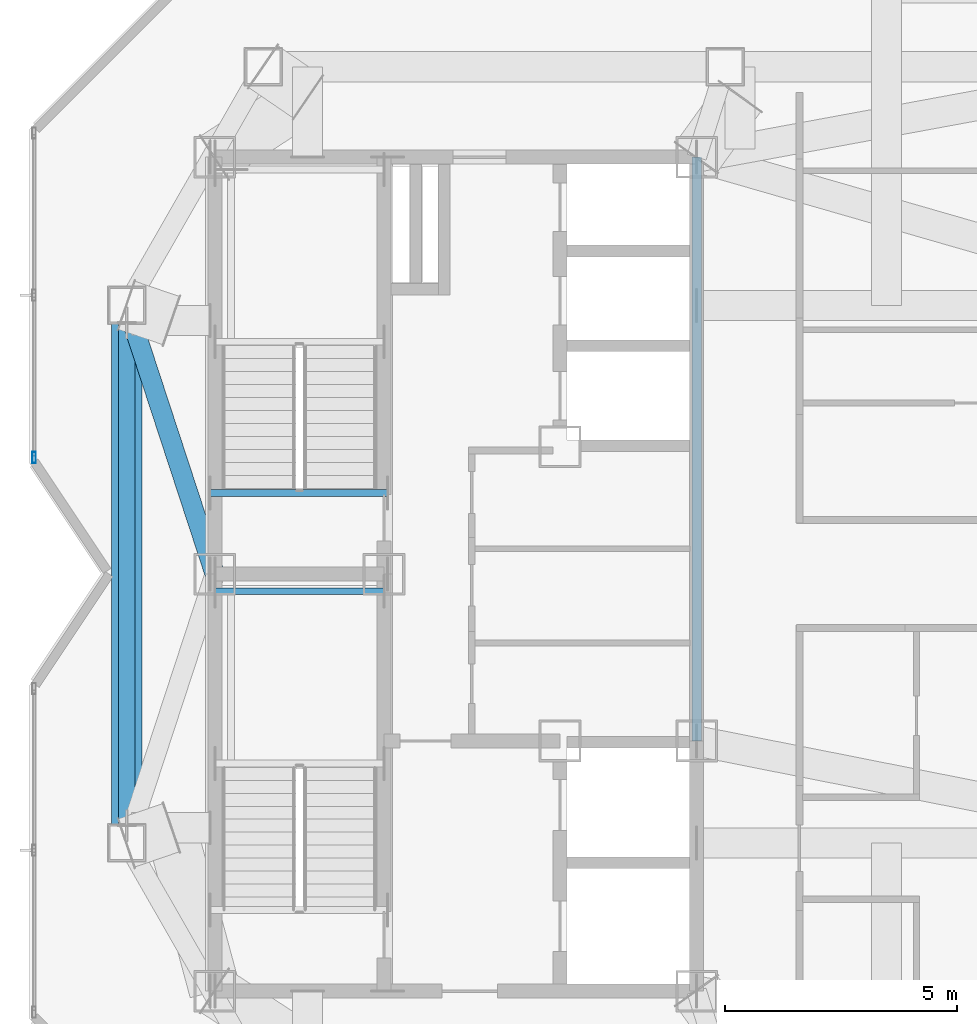
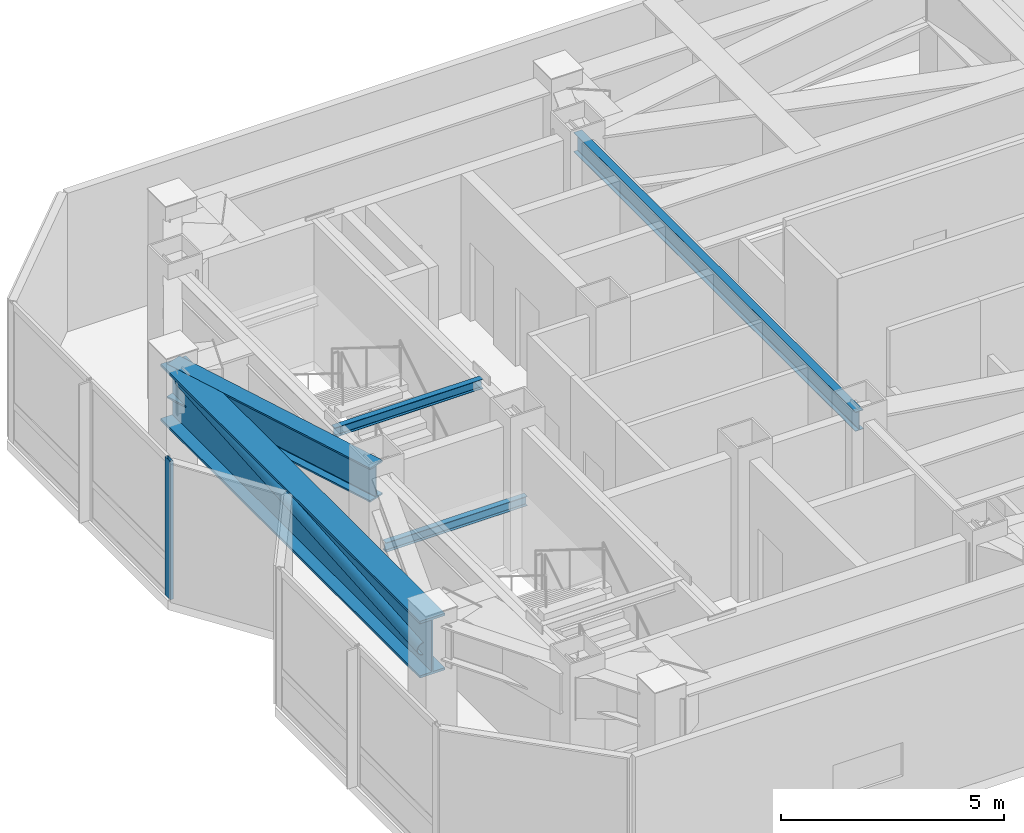
# One storey, part 3 of 15: 5 beams, 2 members, 1 element without a shape of its own.
"""IFC4 building model written with IfcOpenShell, lengths in metres."""

from ifc_helpers import new_model, si_unit, direction, frame, origin, origin_2d, place, context, subcontext, project, spatial, hollow_rectangle, hollow_circle, i_section, extrude, material, material_profile, profile_set, type_object, element, aggregate, save


model = new_model("IFC4")

# Units and contexts
model_context = context("Model", 3, precision=1e-05, world=origin(), true_north=direction((0.0, 1.0)))
body_context = subcontext(model_context, "Body", "Model", "MODEL_VIEW")
ifc_project = project(units=[si_unit("LENGTHUNIT", "METRE"), si_unit("AREAUNIT", "SQUARE_METRE"), si_unit("VOLUMEUNIT", "CUBIC_METRE"), si_unit("PLANEANGLEUNIT", "RADIAN"), si_unit("MASSUNIT", "GRAM", prefix="KILO")], contexts=[model_context])

# Site, building, storey
site_placement = place(None, origin())
site = spatial("IfcSite", under=ifc_project, at=site_placement, CompositionType="ELEMENT")
building_placement = place(site_placement, origin())
building = spatial("IfcBuilding", under=site, at=building_placement, Name="Khamvora Tower", CompositionType="ELEMENT")
storey_placement = place(building_placement, frame((0.0, 0.0, 290.449951171875)))
storey = spatial("IfcBuildingStorey", under=building, at=storey_placement, Name="L74", CompositionType="ELEMENT", Elevation=290.449951171875)

# Beams
ifc_material_1 = material(Name="Steel S355", Category="steel")
ifc_material_profile_1 = material_profile(ifc_material_1, i_section(OverallWidth=0.14697265625, OverallDepth=0.261962890625, WebThickness=0.007080078125, FlangeThickness=0.010986328125, FilletRadius=0.008056640625, at=origin_2d()), Name="W250x39")
ifc_profile_set_1 = profile_set([ifc_material_profile_1], Name="Steel S355")
beam_type_1 = type_object("IfcBeamType", Name="BM-LN-W250x39", PredefinedType="LINTEL", material=ifc_profile_set_1)
beam_1_placement = place(storey_placement, frame((29.0, 27.6298828125, 1.76904296875), z_axis=(1.0, 0.0, 0.0), x_axis=(0.0, 1.0, 0.0)))
element("IfcBeam", 1, at=beam_1_placement, inside=storey, type_object=beam_type_1, Name="L74 ST-01 half-landing support beam 1.2", PredefinedType="LINTEL", context=body_context, shape_type="SweptSolid", body=[
    extrude(i_section(OverallWidth=0.14697265625, OverallDepth=0.261962890625, WebThickness=0.007080078125, FlangeThickness=0.010986328125, FilletRadius=0.008056640625, at=origin_2d()), origin(), (0.0, 0.0, 1.0), 3.64990234375),
])
beam_2_placement = place(storey_placement, frame((28.89990234375, 29.75, 3.654052734375), z_axis=(1.0, 0.0, 0.0), x_axis=(0.0, 1.0, 0.0)))
element("IfcBeam", 2, at=beam_2_placement, inside=storey, type_object=beam_type_1, Name="L74 exit stair ST-02 landing trimmer beam", PredefinedType="LINTEL", context=body_context, shape_type="SweptSolid", body=[
    extrude(i_section(OverallWidth=0.14697265625, OverallDepth=0.261962890625, WebThickness=0.007080078125, FlangeThickness=0.010986328125, FilletRadius=0.008056640625, at=origin_2d()), origin(), (0.0, 0.0, 1.0), 3.830078125),
])
ifc_material_profile_2 = material_profile(ifc_material_1, i_section(OverallWidth=0.208984375, OverallDepth=0.532958984375, WebThickness=0.010009765625, FlangeThickness=0.01611328125, FilletRadius=0.013916015625, at=origin_2d()), Name="W530x92")
ifc_profile_set_2 = profile_set([ifc_material_profile_2], Name="Steel S355")
beam_type_2 = type_object("IfcBeamType", Name="BM-SP-W530x92", PredefinedType="SPANDREL", material=ifc_profile_set_2)
beam_3_placement = place(storey_placement, frame((39.39990234375, 24.39990234375, 3.51416015625), z_axis=(0.0, 1.0, 0.0), x_axis=(-1.0, 0.0, 0.0)))
element("IfcBeam", 3, at=beam_3_placement, inside=storey, type_object=beam_type_2, Name="L74 core spine girder EN", PredefinedType="SPANDREL", context=body_context, shape_type="SweptSolid", body=[
    extrude(i_section(OverallWidth=0.208984375, OverallDepth=0.532958984375, WebThickness=0.010009765625, FlangeThickness=0.01611328125, FilletRadius=0.013916015625, at=origin_2d()), origin(), (0.0, 0.0, 1.0), 12.60009765625),
])
ifc_material_2 = material(Name="Steel S460", Category="steel")
ifc_material_profile_3 = material_profile(ifc_material_2, i_section(OverallWidth=0.64990234375, OverallDepth=1.550048828125, WebThickness=0.0400390625, FlangeThickness=0.06494140625, at=origin_2d()), Name="PG1550x650x40x65")
ifc_profile_set_3 = profile_set([ifc_material_profile_3], Name="Steel S460")
beam_type_3 = type_object("IfcBeamType", Name="BM-TG-PG1800", PredefinedType="BEAM", material=ifc_profile_set_3)
beam_4_placement = place(storey_placement, frame((27.10009765625, 33.800048828125, 3.005126953125), z_axis=(0.0, -1.0, 0.0), x_axis=(1.0, 0.0, 0.0)))
element("IfcBeam", 4, at=beam_4_placement, inside=storey, type_object=beam_type_3, Name="L74 perimeter spandrel beam W2-W1", PredefinedType="BEAM", context=body_context, shape_type="SweptSolid", body=[
    extrude(i_section(OverallWidth=0.64990234375, OverallDepth=1.550048828125, WebThickness=0.0400390625, FlangeThickness=0.06494140625, at=origin_2d()), origin(), (0.0, 0.0, 1.0), 11.60009765625),
])
ifc_material_profile_4 = material_profile(ifc_material_2, i_section(OverallWidth=0.423095703125, OverallDepth=0.93310546875, WebThickness=0.02392578125, FlangeThickness=0.04296875, FilletRadius=0.02001953125, at=origin_2d()), Name="W920x446")
ifc_profile_set_4 = profile_set([ifc_material_profile_4], Name="Steel S460")
beam_type_4 = type_object("IfcBeamType", Name="BM-TL-900", PredefinedType="BEAM", material=ifc_profile_set_4)
beam_5_placement = place(storey_placement, frame((29.0, 28.0, 3.31396484375), z_axis=(-0.31129131303, 0.950314536578, 0.0), x_axis=(-0.950314536578, -0.31129131303, 0.0)))
element("IfcBeam", 5, at=beam_5_placement, inside=storey, type_object=beam_type_4, Name="L74 primary floor girder W2", PredefinedType="BEAM", context=body_context, shape_type="SweptSolid", body=[
    extrude(i_section(OverallWidth=0.423095703125, OverallDepth=0.93310546875, WebThickness=0.02392578125, FlangeThickness=0.04296875, FilletRadius=0.02001953125, at=origin_2d()), origin(), (0.0, 0.0, 1.0), 6.103271484375),
])

# Curtain wall, member
ifc_material_3 = material(Name="Anodised Aluminium 6063-T6", Category="aluminium")
curtain_wall_type = type_object("IfcCurtainWallType", Name="CW-SYS-06", PredefinedType="NOTDEFINED", material=ifc_material_3)
curtain_wall_placement = place(storey_placement, origin())
curtain_wall = element("IfcCurtainWall", 6, at=curtain_wall_placement, inside=storey, type_object=curtain_wall_type, Name="L74 stick curtain wall 05.1", PredefinedType="NOTDEFINED")
ifc_material_profile_5 = material_profile(ifc_material_3, hollow_rectangle(XDim=0.080078125, YDim=0.239990234375, WallThickness=0.0048828125, at=origin_2d()), Name="MUL80x240x5")
ifc_profile_set_5 = profile_set([ifc_material_profile_5], Name="Anodised Aluminium 6063-T6")
member_type_1 = type_object("IfcMemberType", Name="CW-SYS-06-MUL", PredefinedType="MULLION", material=ifc_profile_set_5)
member_1_placement = place(storey_placement, frame((25.10009765625, 30.51708984375, 0.0), z_axis=(0.0, 0.0, 1.0), x_axis=(-1.0, 0.0, 0.0)))
member_1 = element("IfcMember", 7, at=member_1_placement, type_object=member_type_1, Name="CW-06 mullion 1", PredefinedType="MULLION", context=body_context, shape_type="SweptSolid", body=[
    extrude(hollow_rectangle(XDim=0.080078125, YDim=0.239990234375, WallThickness=0.0048828125, at=origin_2d()), origin(), (0.0, 0.0, 1.0), 3.780029296875),
])
aggregate(curtain_wall, [member_1])

# Member
ifc_material_profile_6 = material_profile(ifc_material_1, hollow_circle(Radius=0.177978515625, WallThickness=0.013916015625, at=origin_2d()), Name="CHS356x14")
ifc_profile_set_6 = profile_set([ifc_material_profile_6], Name="Steel S355")
member_type_2 = type_object("IfcMemberType", Name="MEM-BR-CHS356", PredefinedType="BRACE", material=ifc_profile_set_6)
member_2_placement = place(storey_placement, frame((27.10009765625, 22.5791015625, 2.70703125), z_axis=(0.0, 0.997421855475, 0.071761007662), x_axis=(-1.0, 0.0, 0.0)))
element("IfcMember", 8, at=member_2_placement, inside=storey, type_object=member_type_2, Name="L74 perimeter wind brace 1", PredefinedType="BRACE", context=body_context, shape_type="SweptSolid", body=[
    extrude(hollow_circle(Radius=0.177978515625, WallThickness=0.013916015625, at=origin_2d()), origin(), (0.0, 0.0, 1.0), 10.869873046875),
])

save(model, "model.ifc")
